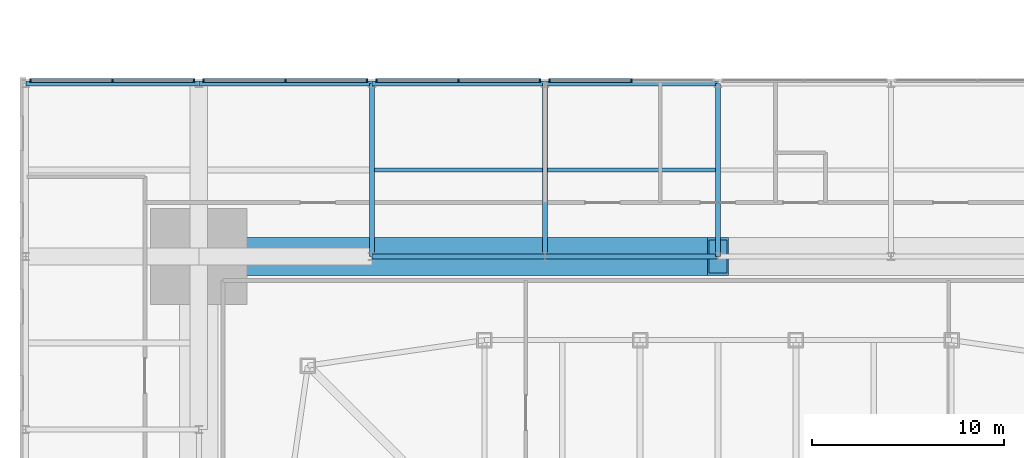
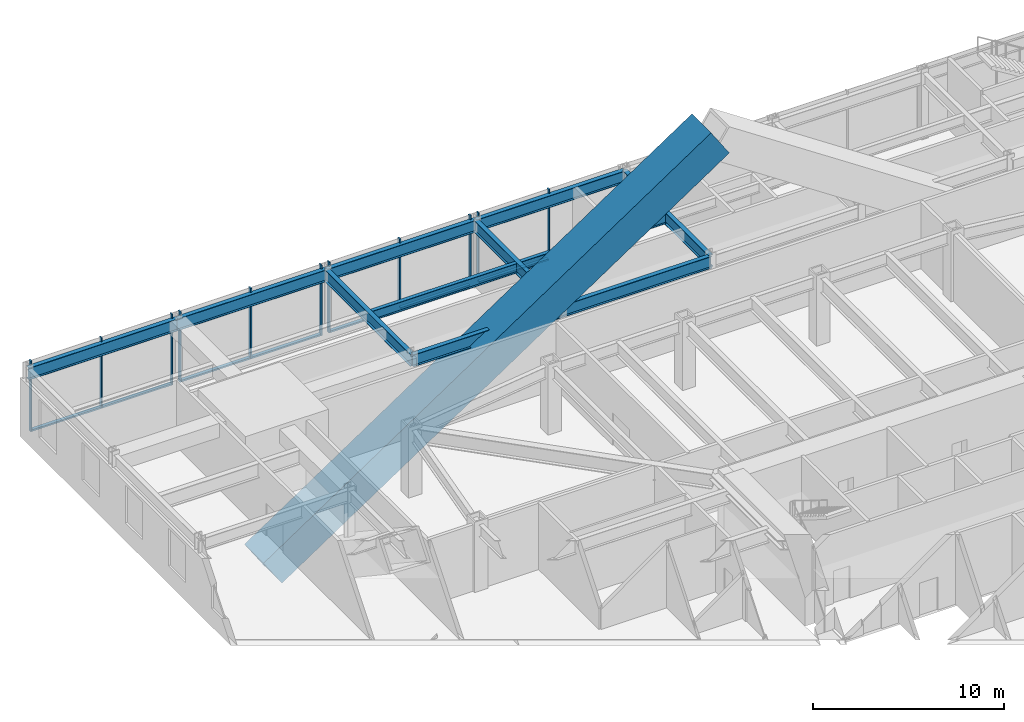
# One storey, part 14 of 32: 19 members, 11 beams, 4 elements without a shape of their own.
"""IFC4 building model written with IfcOpenShell, lengths in metres."""

from ifc_helpers import new_model, si_unit, direction, frame, origin, origin_2d, place, context, subcontext, project, spatial, rectangle, hollow_rectangle, i_section, extrude, material, material_profile, profile_set, type_object, element, aggregate, save


model = new_model("IFC4")

# Units and contexts
model_context = context("Model", 3, precision=1e-05, world=origin(), true_north=direction((0.0, 1.0)))
body_context = subcontext(model_context, "Body", "Model", "MODEL_VIEW")
ifc_project = project(units=[si_unit("LENGTHUNIT", "METRE"), si_unit("AREAUNIT", "SQUARE_METRE"), si_unit("VOLUMEUNIT", "CUBIC_METRE"), si_unit("PLANEANGLEUNIT", "RADIAN"), si_unit("MASSUNIT", "GRAM", prefix="KILO")], contexts=[model_context])

# Site, building, storey
site_placement = place(None, origin())
site = spatial("IfcSite", under=ifc_project, at=site_placement, CompositionType="ELEMENT")
building_placement = place(site_placement, origin())
building = spatial("IfcBuilding", under=site, at=building_placement, Name="Iwan Alto Co-Living Towers", CompositionType="ELEMENT")
storey_placement = place(building_placement, frame((0.0, 0.0, 6.0)))
storey = spatial("IfcBuildingStorey", under=building, at=storey_placement, Name="L01", CompositionType="ELEMENT", Elevation=6.0)

# Curtain wall, members
ifc_material_1 = material(Name="Bronze aluminium stick frame", Category="aluminium")
curtain_wall_type = type_object("IfcCurtainWallType", Name="CURTAIN WALL CW-E", PredefinedType="NOTDEFINED", material=ifc_material_1)
curtain_wall_1_placement = place(storey_placement, origin())
curtain_wall_1 = element("IfcCurtainWall", 1, at=curtain_wall_1_placement, inside=storey, type_object=curtain_wall_type, Name="Podium curtain wall N L01", PredefinedType="NOTDEFINED")
ifc_material_2 = material(Name="Aluminium 6063-T6 bronze anodised", Category="aluminium")
ifc_material_profile_1 = material_profile(ifc_material_2, rectangle(XDim=0.199951171875, YDim=0.080078125, at=origin_2d()), Name="AL 80X200")
ifc_profile_set_1 = profile_set([ifc_material_profile_1], Name="Aluminium 6063-T6 bronze anodised")
member_type_1 = type_object("IfcMemberType", Name="CW-E MULLION 80X200", PredefinedType="MULLION", material=ifc_profile_set_1)
member_1_placement = place(storey_placement, frame((-27.245849609375, 36.14990234375, 0.0), z_axis=(0.0, 0.0, 1.0), x_axis=(0.0, -1.0, 0.0)))
member_1 = element("IfcMember", 2, at=member_1_placement, type_object=member_type_1, Name="CW-E mullion 1", PredefinedType="MULLION", context=body_context, shape_type="SweptSolid", body=[
    extrude(rectangle(XDim=0.199951171875, YDim=0.080078125, at=origin_2d()), origin(), (0.0, 0.0, 1.0), 4.5),
])
member_2_placement = place(storey_placement, frame((-31.5, 36.14990234375, 0.0), z_axis=(0.0, 0.0, 1.0), x_axis=(0.0, -1.0, 0.0)))
member_2 = element("IfcMember", 3, at=member_2_placement, type_object=member_type_1, Name="CW-E mullion 2", PredefinedType="MULLION", context=body_context, shape_type="SweptSolid", body=[
    extrude(rectangle(XDim=0.199951171875, YDim=0.080078125, at=origin_2d()), origin(), (0.0, 0.0, 1.0), 4.5),
])
member_3_placement = place(storey_placement, frame((-35.754150390625, 36.14990234375, 0.0), z_axis=(0.0, 0.0, 1.0), x_axis=(0.0, -1.0, 0.0)))
member_3 = element("IfcMember", 4, at=member_3_placement, type_object=member_type_1, Name="CW-E mullion 3", PredefinedType="MULLION", context=body_context, shape_type="SweptSolid", body=[
    extrude(rectangle(XDim=0.199951171875, YDim=0.080078125, at=origin_2d()), origin(), (0.0, 0.0, 1.0), 4.5),
])

curtain_wall_2_placement = place(storey_placement, origin())
curtain_wall_2 = element("IfcCurtainWall", 5, at=curtain_wall_2_placement, inside=storey, type_object=curtain_wall_type, Name="Podium curtain wall N L01", PredefinedType="NOTDEFINED")
member_4_placement = place(storey_placement, frame((-18.245849609375, 36.14990234375, 0.0), z_axis=(0.0, 0.0, 1.0), x_axis=(0.0, -1.0, 0.0)))
member_4 = element("IfcMember", 6, at=member_4_placement, type_object=member_type_1, Name="CW-E mullion 1", PredefinedType="MULLION", context=body_context, shape_type="SweptSolid", body=[
    extrude(rectangle(XDim=0.199951171875, YDim=0.080078125, at=origin_2d()), origin(), (0.0, 0.0, 1.0), 4.5),
])
member_5_placement = place(storey_placement, frame((-22.5, 36.14990234375, 0.0), z_axis=(0.0, 0.0, 1.0), x_axis=(0.0, -1.0, 0.0)))
member_5 = element("IfcMember", 7, at=member_5_placement, type_object=member_type_1, Name="CW-E mullion 2", PredefinedType="MULLION", context=body_context, shape_type="SweptSolid", body=[
    extrude(rectangle(XDim=0.199951171875, YDim=0.080078125, at=origin_2d()), origin(), (0.0, 0.0, 1.0), 4.5),
])
member_6_placement = place(storey_placement, frame((-26.754150390625, 36.14990234375, 0.0), z_axis=(0.0, 0.0, 1.0), x_axis=(0.0, -1.0, 0.0)))
member_6 = element("IfcMember", 8, at=member_6_placement, type_object=member_type_1, Name="CW-E mullion 3", PredefinedType="MULLION", context=body_context, shape_type="SweptSolid", body=[
    extrude(rectangle(XDim=0.199951171875, YDim=0.080078125, at=origin_2d()), origin(), (0.0, 0.0, 1.0), 4.5),
])

curtain_wall_3_placement = place(storey_placement, origin())
curtain_wall_3 = element("IfcCurtainWall", 9, at=curtain_wall_3_placement, inside=storey, type_object=curtain_wall_type, Name="Podium curtain wall N L01", PredefinedType="NOTDEFINED")
member_7_placement = place(storey_placement, frame((-9.245849609375, 36.14990234375, 0.0), z_axis=(0.0, 0.0, 1.0), x_axis=(0.0, -1.0, 0.0)))
member_7 = element("IfcMember", 10, at=member_7_placement, type_object=member_type_1, Name="CW-E mullion 1", PredefinedType="MULLION", context=body_context, shape_type="SweptSolid", body=[
    extrude(rectangle(XDim=0.199951171875, YDim=0.080078125, at=origin_2d()), origin(), (0.0, 0.0, 1.0), 4.5),
])
member_8_placement = place(storey_placement, frame((-13.5, 36.14990234375, 0.0), z_axis=(0.0, 0.0, 1.0), x_axis=(0.0, -1.0, 0.0)))
member_8 = element("IfcMember", 11, at=member_8_placement, type_object=member_type_1, Name="CW-E mullion 2", PredefinedType="MULLION", context=body_context, shape_type="SweptSolid", body=[
    extrude(rectangle(XDim=0.199951171875, YDim=0.080078125, at=origin_2d()), origin(), (0.0, 0.0, 1.0), 4.5),
])
member_9_placement = place(storey_placement, frame((-17.754150390625, 36.14990234375, 0.0), z_axis=(0.0, 0.0, 1.0), x_axis=(0.0, -1.0, 0.0)))
member_9 = element("IfcMember", 12, at=member_9_placement, type_object=member_type_1, Name="CW-E mullion 3", PredefinedType="MULLION", context=body_context, shape_type="SweptSolid", body=[
    extrude(rectangle(XDim=0.199951171875, YDim=0.080078125, at=origin_2d()), origin(), (0.0, 0.0, 1.0), 4.5),
])

curtain_wall_4_placement = place(storey_placement, origin())
curtain_wall_4 = element("IfcCurtainWall", 13, at=curtain_wall_4_placement, inside=storey, type_object=curtain_wall_type, Name="Podium curtain wall N L01", PredefinedType="NOTDEFINED")
member_10_placement = place(storey_placement, frame((-4.5, 36.14990234375, 0.0), z_axis=(0.0, 0.0, 1.0), x_axis=(0.0, -1.0, 0.0)))
member_10 = element("IfcMember", 14, at=member_10_placement, type_object=member_type_1, Name="CW-E mullion 2", PredefinedType="MULLION", context=body_context, shape_type="SweptSolid", body=[
    extrude(rectangle(XDim=0.199951171875, YDim=0.080078125, at=origin_2d()), origin(), (0.0, 0.0, 1.0), 4.5),
])
member_11_placement = place(storey_placement, frame((-8.754150390625, 36.14990234375, 0.0), z_axis=(0.0, 0.0, 1.0), x_axis=(0.0, -1.0, 0.0)))
member_11 = element("IfcMember", 15, at=member_11_placement, type_object=member_type_1, Name="CW-E mullion 3", PredefinedType="MULLION", context=body_context, shape_type="SweptSolid", body=[
    extrude(rectangle(XDim=0.199951171875, YDim=0.080078125, at=origin_2d()), origin(), (0.0, 0.0, 1.0), 4.5),
])

# Member
ifc_material_3 = material(Name="Aluminium 6063-T6 bronze anodised", Category="aluminium")
ifc_material_profile_2 = material_profile(ifc_material_3, rectangle(XDim=0.199951171875, YDim=0.10009765625, at=origin_2d()), Name="AL 200X100")
ifc_profile_set_2 = profile_set([ifc_material_profile_2], Name="Aluminium 6063-T6 bronze anodised")
member_type_2 = type_object("IfcMemberType", Name="CW-E TRANSOM 200X100", PredefinedType="USERDEFINED", material=ifc_profile_set_2)
member_12_placement = place(storey_placement, frame((-27.28564453125, 36.14990234375, 0.050048828125), z_axis=(-1.0, 0.0, 0.0), x_axis=(0.0, -1.0, 0.0)))
member_12 = element("IfcMember", 16, at=member_12_placement, type_object=member_type_2, Name="CW-E transom 1.1", ObjectType="TRANSOM", PredefinedType="USERDEFINED", context=body_context, shape_type="SweptSolid", body=[
    extrude(rectangle(XDim=0.199951171875, YDim=0.10009765625, at=origin_2d()), origin(), (0.0, 0.0, 1.0), 4.17431640625),
])

member_13_placement = place(storey_placement, frame((-31.5400390625, 36.14990234375, 0.050048828125), z_axis=(-1.0, 0.0, 0.0), x_axis=(0.0, -1.0, 0.0)))
member_13 = element("IfcMember", 17, at=member_13_placement, type_object=member_type_2, Name="CW-E transom 2.1", ObjectType="TRANSOM", PredefinedType="USERDEFINED", context=body_context, shape_type="SweptSolid", body=[
    extrude(rectangle(XDim=0.199951171875, YDim=0.10009765625, at=origin_2d()), origin(), (0.0, 0.0, 1.0), 4.17431640625),
])

aggregate(curtain_wall_1, [member_1, member_2, member_3, member_12, member_13])

member_14_placement = place(storey_placement, frame((-18.28564453125, 36.14990234375, 0.050048828125), z_axis=(-1.0, 0.0, 0.0), x_axis=(0.0, -1.0, 0.0)))
member_14 = element("IfcMember", 18, at=member_14_placement, type_object=member_type_2, Name="CW-E transom 1.1", ObjectType="TRANSOM", PredefinedType="USERDEFINED", context=body_context, shape_type="SweptSolid", body=[
    extrude(rectangle(XDim=0.199951171875, YDim=0.10009765625, at=origin_2d()), origin(), (0.0, 0.0, 1.0), 4.17431640625),
])

member_15_placement = place(storey_placement, frame((-22.5400390625, 36.14990234375, 0.050048828125), z_axis=(-1.0, 0.0, 0.0), x_axis=(0.0, -1.0, 0.0)))
member_15 = element("IfcMember", 19, at=member_15_placement, type_object=member_type_2, Name="CW-E transom 2.1", ObjectType="TRANSOM", PredefinedType="USERDEFINED", context=body_context, shape_type="SweptSolid", body=[
    extrude(rectangle(XDim=0.199951171875, YDim=0.10009765625, at=origin_2d()), origin(), (0.0, 0.0, 1.0), 4.17431640625),
])

aggregate(curtain_wall_2, [member_4, member_5, member_6, member_14, member_15])

member_16_placement = place(storey_placement, frame((-9.28564453125, 36.14990234375, 0.050048828125), z_axis=(-1.0, 0.0, 0.0), x_axis=(0.0, -1.0, 0.0)))
member_16 = element("IfcMember", 20, at=member_16_placement, type_object=member_type_2, Name="CW-E transom 1.1", ObjectType="TRANSOM", PredefinedType="USERDEFINED", context=body_context, shape_type="SweptSolid", body=[
    extrude(rectangle(XDim=0.199951171875, YDim=0.10009765625, at=origin_2d()), origin(), (0.0, 0.0, 1.0), 4.17431640625),
])

member_17_placement = place(storey_placement, frame((-13.5400390625, 36.14990234375, 0.050048828125), z_axis=(-1.0, 0.0, 0.0), x_axis=(0.0, -1.0, 0.0)))
member_17 = element("IfcMember", 21, at=member_17_placement, type_object=member_type_2, Name="CW-E transom 2.1", ObjectType="TRANSOM", PredefinedType="USERDEFINED", context=body_context, shape_type="SweptSolid", body=[
    extrude(rectangle(XDim=0.199951171875, YDim=0.10009765625, at=origin_2d()), origin(), (0.0, 0.0, 1.0), 4.17431640625),
])

aggregate(curtain_wall_3, [member_7, member_8, member_9, member_16, member_17])

member_18_placement = place(storey_placement, frame((-4.5400390625, 36.14990234375, 0.050048828125), z_axis=(-1.0, 0.0, 0.0), x_axis=(0.0, -1.0, 0.0)))
member_18 = element("IfcMember", 22, at=member_18_placement, type_object=member_type_2, Name="CW-E transom 2.1", ObjectType="TRANSOM", PredefinedType="USERDEFINED", context=body_context, shape_type="SweptSolid", body=[
    extrude(rectangle(XDim=0.199951171875, YDim=0.10009765625, at=origin_2d()), origin(), (0.0, 0.0, 1.0), 4.17431640625),
])

aggregate(curtain_wall_4, [member_10, member_11, member_18])

# Beams
ifc_material_4 = material(Name="Steel ASTM A992 Gr 50", Category="steel")
ifc_material_profile_3 = material_profile(ifc_material_4, i_section(OverallWidth=0.2666015625, OverallDepth=0.76953125, WebThickness=0.015625, FlangeThickness=0.025390625, at=origin_2d()), Name="W30X132")
ifc_profile_set_3 = profile_set([ifc_material_profile_3], Name="Steel ASTM A992 Gr 50")
beam_type_1 = type_object("IfcBeamType", Name="PODIUM BEAM W30X132", PredefinedType="BEAM", material=ifc_profile_set_3)
for number, where, z_axis, x_axis, name in (
    (23, (-36.0, 36.0, 3.865234375), (1.0, 0.0, 0.0), (0.0, 1.0, 0.0), "Podium beam 1/I-2/I L02"),
    (24, (-27.0, 36.0, 3.865234375), (1.0, 0.0, 0.0), (0.0, 1.0, 0.0), "Podium beam 2/I-3/I L02"),
    (25, (-18.0, 27.0, 3.865234375), (1.0, 0.0, 0.0), (0.0, 1.0, 0.0), "Podium beam 3/H-4/H L02"),
    (26, (-18.0, 27.0, 3.865234375), (0.0, 1.0, 0.0), (-1.0, 0.0, 0.0), "Podium beam 3/H-3/I L02"),
    (27, (-18.0, 36.0, 3.865234375), (1.0, 0.0, 0.0), (0.0, 1.0, 0.0), "Podium beam 3/I-4/I L02"),
    (28, (-9.0, 27.0, 3.865234375), (1.0, 0.0, 0.0), (0.0, 1.0, 0.0), "Podium beam 4/H-5/H L02"),
    (29, (-9.0, 27.0, 3.865234375), (0.0, 1.0, 0.0), (-1.0, 0.0, 0.0), "Podium beam 4/H-4/I L02"),
    (30, (-9.0, 36.0, 3.865234375), (1.0, 0.0, 0.0), (0.0, 1.0, 0.0), "Podium beam 4/I-5/I L02"),
    (31, (0.0, 27.0, 3.865234375), (0.0, 1.0, 0.0), (-1.0, 0.0, 0.0), "Podium beam 5/H-5/I L02"),
):
    element("IfcBeam", number, at=place(storey_placement, frame(where, z_axis=z_axis, x_axis=x_axis)), inside=storey, type_object=beam_type_1, Name=name, PredefinedType="BEAM", context=body_context, shape_type="SweptSolid", body=[
        extrude(i_section(OverallWidth=0.2666015625, OverallDepth=0.76953125, WebThickness=0.015625, FlangeThickness=0.025390625, at=origin_2d()), origin(), (0.0, 0.0, 1.0), 9.0),
    ])
ifc_material_5 = material(Name="Steel ASTM A992 Gr 50", Category="steel")
ifc_material_profile_4 = material_profile(ifc_material_5, i_section(OverallWidth=0.23046875, OverallDepth=0.6171875, WebThickness=0.01318359375, FlangeThickness=0.022216796875, at=origin_2d()), Name="W24X94")
ifc_profile_set_4 = profile_set([ifc_material_profile_4], Name="Steel ASTM A992 Gr 50")
beam_type_2 = type_object("IfcBeamType", Name="PODIUM SECONDARY BEAM W24X94", PredefinedType="JOIST", material=ifc_profile_set_4)
for number, where, z_axis, x_axis, name in (
    (32, (-17.86669921875, 31.5, 3.94140625), (1.0, 0.0, 0.0), (0.0, 1.0, 0.0), "Podium secondary beam 3/H L02"),
    (33, (-8.86669921875, 31.5, 3.94140625), (1.0, 0.0, 0.0), (0.0, 1.0, 0.0), "Podium secondary beam 4/H L02"),
):
    element("IfcBeam", number, at=place(storey_placement, frame(where, z_axis=z_axis, x_axis=x_axis)), inside=storey, type_object=beam_type_2, Name=name, PredefinedType="JOIST", context=body_context, shape_type="SweptSolid", body=[
        extrude(i_section(OverallWidth=0.23046875, OverallDepth=0.6171875, WebThickness=0.01318359375, FlangeThickness=0.022216796875, at=origin_2d()), origin(), (0.0, 0.0, 1.0), 8.7333984375),
    ])

# Member
ifc_material_6 = material(Name="Steel ASTM A572 Gr 42", Category="steel")
ifc_material_profile_5 = material_profile(ifc_material_6, hollow_rectangle(XDim=2.0, YDim=2.0, WallThickness=0.139892578125, at=origin_2d()), Name="BOX 2000X2000X140")
ifc_profile_set_5 = profile_set([ifc_material_profile_5], Name="Steel ASTM A572 Gr 42")
member_type_3 = type_object("IfcMemberType", Name="T1 MEGA BRACE BOX 2000X2000X140", PredefinedType="BRACE", material=ifc_profile_set_5)
member_19_placement = place(storey_placement, frame((-27.0, 27.0, -6.0), z_axis=(0.832050294338, 0.0, 0.554700196225), x_axis=(0.0, 1.0, 0.0)))
element("IfcMember", 34, at=member_19_placement, inside=storey, type_object=member_type_3, Name="T1 mega brace Z1A N 2 lower", PredefinedType="BRACE", context=body_context, shape_type="SweptSolid", body=[
    extrude(hollow_rectangle(XDim=2.0, YDim=2.0, WallThickness=0.139892578125, at=origin_2d()), origin(), (0.0, 0.0, 1.0), 32.449951171875),
])

save(model, "model.ifc")
